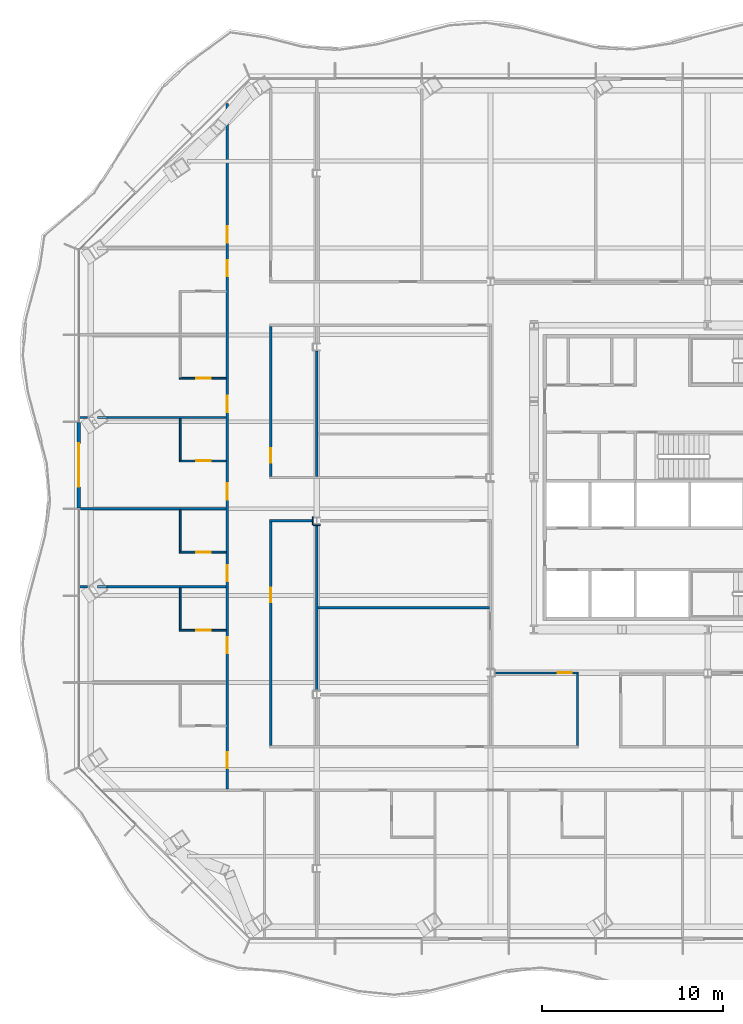
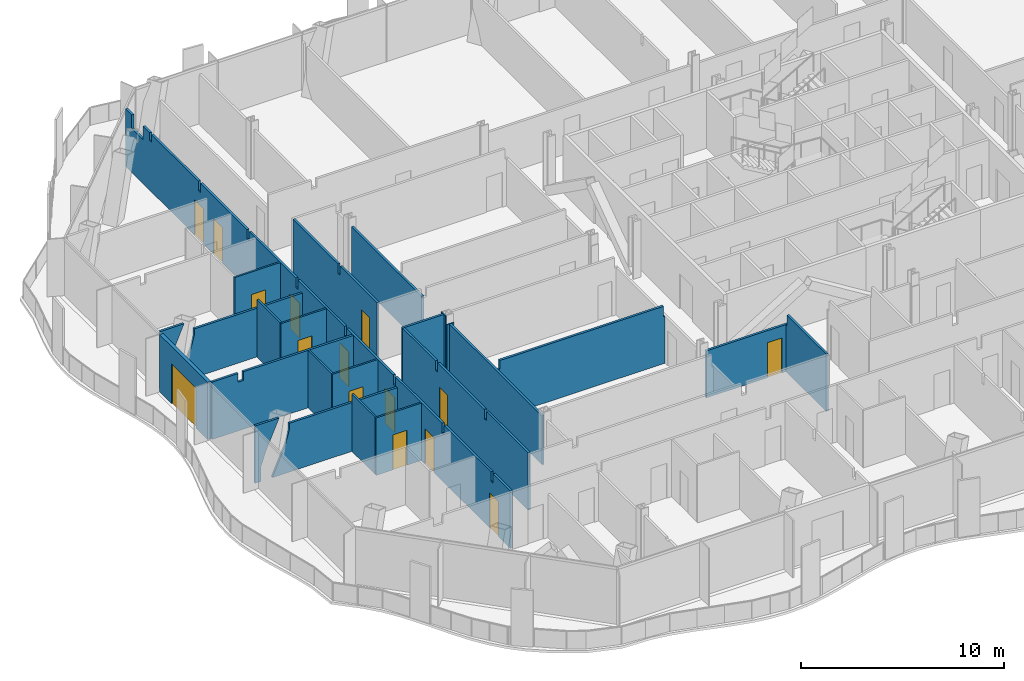
# One storey, part 7 of 17: 24 walls, 15 doors, 15 openings.
"""IFC4 building model written with IfcOpenShell, lengths in metres."""

import ifcopenshell
import ifcopenshell.guid

model = None  # the IFC model being written
_history = None  # IfcOwnerHistory: only IFC2X3 demands one
_inside = {}  # id of a spatial element -> (the spatial element, [elements in it])
_under = {}  # id of a project, library or spatial element -> (it, [spatial elements below it])
_declared = {}  # id of a project -> (the project, [libraries it declares])
_typed = {}  # id of a type object -> (the type object, [elements of that type])
_made_of = {}  # id of a material, layer set ... -> (it, [elements and type objects made of it])


def new_model(schema):
    """Start an empty IFC model of exactly this schema.

    Asked for "IFC4X3", IfcOpenShell would pick the latest addendum, in which some entities
    have other attributes; the version numbers below select the first issue.
    IFC2X3 requires an IfcOwnerHistory on every rooted entity: one is made here for all.
    """
    global model, _history
    if schema == "IFC4X3":
        model = ifcopenshell.file(schema_version=(4, 3, 0, 0))
    else:
        model = ifcopenshell.file(schema=schema)
    _inside.clear()
    _under.clear()
    _declared.clear()
    _typed.clear()
    _made_of.clear()
    _history = None
    if model.schema == "IFC2X3":
        org = make("IfcOrganization", Name="unknown")
        user = make(
            "IfcPersonAndOrganization",
            ThePerson=make("IfcPerson", FamilyName="unknown"),
            TheOrganization=org,
        )
        app = make(
            "IfcApplication",
            ApplicationDeveloper=org,
            Version="unknown",
            ApplicationFullName="unknown",
            ApplicationIdentifier="unknown",
        )
        _history = make(
            "IfcOwnerHistory",
            OwningUser=user,
            OwningApplication=app,
            ChangeAction="ADDED",
            CreationDate=0,
        )
    return model


def make(cls, **values):
    """One entity of the class cls with the attributes given. An attribute that is None is left unset."""
    return model.create_entity(
        cls, **{name: value for name, value in values.items() if value is not None}
    )


def rooted(cls, **values):
    """An entity with a GlobalId (a new one), such as an element, a storey or a relation."""
    return make(cls, GlobalId=ifcopenshell.guid.new(), OwnerHistory=_history, **values)


def si_unit(unit_type, name, prefix=None):
    """IfcSIUnit, for example si_unit("LENGTHUNIT", "METRE", prefix="MILLI")."""
    return make("IfcSIUnit", UnitType=unit_type, Prefix=prefix, Name=name)


def assignment(units):
    """IfcUnitAssignment: the units of a project."""
    return None if units is None else make("IfcUnitAssignment", Units=units)


def point(xyz):
    """IfcCartesianPoint."""
    return None if xyz is None else make("IfcCartesianPoint", Coordinates=xyz)


def direction(xyz):
    """IfcDirection."""
    return None if xyz is None else make("IfcDirection", DirectionRatios=xyz)


def frame(location, z_axis=None, x_axis=None):
    """IfcAxis2Placement3D, a coordinate frame: its origin and axes. An axis left out is left unset."""
    return make(
        "IfcAxis2Placement3D",
        Location=point(location),
        Axis=direction(z_axis),
        RefDirection=direction(x_axis),
    )


def frame_2d(location, x_axis=None):
    """IfcAxis2Placement2D, a coordinate frame in the plane: its origin and x axis."""
    return make(
        "IfcAxis2Placement2D", Location=point(location), RefDirection=direction(x_axis)
    )


def origin():
    """The frame at (0, 0, 0) with its axes left unset."""
    return frame((0.0, 0.0, 0.0))


def place(relative_to, where):
    """IfcLocalPlacement: puts the frame where relative to a parent placement (None: the world)."""
    return make(
        "IfcLocalPlacement", PlacementRelTo=relative_to, RelativePlacement=where
    )


def context(
    kind, dimensions, precision=None, world=None, true_north=None, identifier=None
):
    """IfcGeometricRepresentationContext, for example the 3D "Model" context."""
    return make(
        "IfcGeometricRepresentationContext",
        ContextIdentifier=identifier,
        ContextType=kind,
        CoordinateSpaceDimension=dimensions,
        Precision=precision,
        WorldCoordinateSystem=world,
        TrueNorth=true_north,
    )


def subcontext(parent, identifier, kind, view, scale=None):
    """IfcGeometricRepresentationSubContext, for example "Body" below "Model"."""
    return make(
        "IfcGeometricRepresentationSubContext",
        ContextIdentifier=identifier,
        ContextType=kind,
        ParentContext=parent,
        TargetScale=scale,
        TargetView=view,
    )


def project(units=None, contexts=None):
    """IfcProject with its units and contexts."""
    return rooted(
        "IfcProject",
        Name="project",
        RepresentationContexts=contexts,
        UnitsInContext=assignment(units),
    )


def spatial(cls, under=None, at=None, **own):
    """A site, building, storey or space (cls), placed at a placement, below another one or the project."""
    s = rooted(cls, ObjectPlacement=at, **own)
    if under is not None:
        _under.setdefault(under.id(), (under, []))[1].append(s)
    return s


def polyline(points):
    """IfcPolyline through the points."""
    return make("IfcPolyline", Points=[point(p) for p in points])


def profile(cls, at=None, kind="AREA", **sizes):
    """A parametric profile (cls). Its sizes go by their IFC names, for example OverallWidth=200.0."""
    return make(cls, ProfileType=kind, Position=at, **sizes)


def rectangle(**sizes):
    """IfcRectangleProfileDef."""
    return profile("IfcRectangleProfileDef", **sizes)


def outline(outer, holes=None, kind="AREA"):
    """IfcArbitraryClosedProfileDef: a profile drawn as a closed curve; with holes, ...WithVoids."""
    if holes is None:
        return make("IfcArbitraryClosedProfileDef", ProfileType=kind, OuterCurve=outer)
    return make(
        "IfcArbitraryProfileDefWithVoids",
        ProfileType=kind,
        OuterCurve=outer,
        InnerCurves=holes,
    )


def extrude(swept, where, along, depth):
    """IfcExtrudedAreaSolid: the profile swept, set in the frame where, extruded along a direction by depth."""
    return make(
        "IfcExtrudedAreaSolid",
        SweptArea=swept,
        Position=where,
        ExtrudedDirection=direction(along),
        Depth=depth,
    )


def shape(context_of_items, identifier, shape_type, items):
    """IfcShapeRepresentation: the items that make up one representation, for example the "Body"."""
    return make(
        "IfcShapeRepresentation",
        ContextOfItems=context_of_items,
        RepresentationIdentifier=identifier,
        RepresentationType=shape_type,
        Items=items,
    )


def material(Name=None, Category=None):
    """IfcMaterial."""
    return make("IfcMaterial", Name=Name, Category=Category)


def layer(
    of_material, thickness, ventilated=None, Name=None, Category=None, Priority=None
):
    """IfcMaterialLayer: one layer of a wall or slab, of a material (None: an air gap)."""
    return make(
        "IfcMaterialLayer",
        Material=of_material,
        LayerThickness=thickness,
        IsVentilated=ventilated,
        Name=Name,
        Category=Category,
        Priority=Priority,
    )


def layer_set(layers, Name=None):
    """IfcMaterialLayerSet."""
    return make("IfcMaterialLayerSet", MaterialLayers=layers, LayerSetName=Name)


def made_of(thing, what):
    """Note that an element or type object is made of a material, layer set ...; save() writes the relation."""
    if what is not None:
        _made_of.setdefault(what.id(), (what, []))[1].append(thing)
    return thing


def type_object(cls, material=None, **own):
    """A type object (cls), such as IfcWallType, which elements share."""
    return made_of(rooted(cls, **own), material)


def element(
    cls,
    number,
    at=None,
    inside=None,
    cuts=None,
    type_object=None,
    material=None,
    context=None,
    identifier="Body",
    shape_type=None,
    held_by="IfcProductDefinitionShape",
    body=None,
    shapes=None,
    **own,
):
    """One element of the class cls, such as IfcWall. Its Tag is "e" and its number.

    at: its placement. inside: the storey or other place that contains it. cuts: it is an
    opening in that element (IfcRelVoidsElement). A single representation is given by context,
    identifier, shape_type and body (its items); several are given by shapes. held_by: the class
    of the entity that holds the representations. save() writes the other relations.
    """
    e = rooted(cls, Tag="e%d" % number, ObjectPlacement=at, **own)
    if body is not None:
        shapes = [shape(context, identifier, shape_type, body)]
    if shapes is not None:
        e.Representation = make(held_by, Representations=shapes)
    if inside is not None:
        _inside.setdefault(inside.id(), (inside, []))[1].append(e)
    if cuts is not None:
        rooted(
            "IfcRelVoidsElement", RelatingBuildingElement=cuts, RelatedOpeningElement=e
        )
    if type_object is not None:
        _typed.setdefault(type_object.id(), (type_object, []))[1].append(e)
    return made_of(e, material)


def fill(opening, filler):
    """IfcRelFillsElement: the door or window that sits in an opening."""
    return rooted(
        "IfcRelFillsElement",
        RelatingOpeningElement=opening,
        RelatedBuildingElement=filler,
    )


def aggregate(whole, parts):
    """IfcRelAggregates: a whole, such as a stair, and the parts it consists of."""
    return rooted("IfcRelAggregates", RelatingObject=whole, RelatedObjects=parts)


def save(model, path):
    """Write the relations noted so far, then the file.

    IfcRelAggregates (storeys below a building ...), IfcRelContainedInSpatialStructure (elements
    in a storey), IfcRelDefinesByType, IfcRelAssociatesMaterial and IfcRelDeclares: one each for
    every whole, place, type object, material and project.
    """
    for whole, parts in _under.values():
        aggregate(whole, parts)
    for where, things in _inside.values():
        rooted(
            "IfcRelContainedInSpatialStructure",
            RelatedElements=things,
            RelatingStructure=where,
        )
    for kind, things in _typed.values():
        rooted("IfcRelDefinesByType", RelatedObjects=things, RelatingType=kind)
    for what, things in _made_of.values():
        rooted("IfcRelAssociatesMaterial", RelatedObjects=things, RelatingMaterial=what)
    for by, libraries in _declared.values():
        rooted("IfcRelDeclares", RelatingContext=by, RelatedDefinitions=libraries)
    model.write(path)


model = new_model("IFC4")

# Units and contexts
model_context = context("Model", 3, precision=1e-05, world=origin(), true_north=direction((0.0, 1.0)))
body_context = subcontext(model_context, "Body", "Model", "MODEL_VIEW")
ifc_project = project(units=[si_unit("LENGTHUNIT", "METRE"), si_unit("AREAUNIT", "SQUARE_METRE"), si_unit("VOLUMEUNIT", "CUBIC_METRE"), si_unit("PLANEANGLEUNIT", "RADIAN"), si_unit("MASSUNIT", "GRAM", prefix="KILO")], contexts=[model_context])

# Site, building, storey
site_placement = place(None, origin())
site = spatial("IfcSite", under=ifc_project, at=site_placement, CompositionType="ELEMENT")
building_placement = place(site_placement, origin())
building = spatial("IfcBuilding", under=site, at=building_placement, Name="Cairn Pilgrim Tower", CompositionType="ELEMENT")
storey_placement = place(building_placement, frame((0.0, 0.0, 94.199951171875)))
storey = spatial("IfcBuildingStorey", under=building, at=storey_placement, Name="L22", CompositionType="ELEMENT", Elevation=94.199951171875)

# Wall, opening, door
ifc_material_1 = material(Name="Bronze anodised aluminium insulated sandwich panel with mineral wool fill", Category="aluminium")
ifc_layer_1 = layer(ifc_material_1, 0.199951171875)
ifc_layer_set_1 = layer_set([ifc_layer_1], Name="BRONZE INFILL FRAME WALL 200")
wall_type_1 = type_object("IfcWallType", Name="BRONZE INFILL FRAME WALL 200", PredefinedType="NOTDEFINED", material=ifc_layer_set_1)
wall_1_placement = place(storey_placement, frame((-27.54150390625, 5.442138671875, 0.0), z_axis=(0.0, 0.0, 1.0), x_axis=(0.0, -1.0, 0.0)))
wall_1 = element("IfcWall", 1, at=wall_1_placement, inside=storey, type_object=wall_type_1, Name="Bronze infill frame wall IW-W3", PredefinedType="NOTDEFINED", context=body_context, shape_type="SweptSolid", body=[
    extrude(rectangle(XDim=4.739990234375, YDim=0.199951171875, at=frame_2d((2.3701171875, 0.0))), origin(), (0.0, 0.0, 1.0), 3.449951171875),
])
opening_1_placement = place(wall_1_placement, frame((1.170166015625, 0.0, 0.0)))
opening_1 = element("IfcOpeningElement", 2, at=opening_1_placement, cuts=wall_1, Name="Opening 2213B", PredefinedType="OPENING", context=body_context, shape_type="SweptSolid", body=[
    extrude(rectangle(XDim=2.39990234375, YDim=2.39990234375, at=frame_2d((1.199951171875, 1.199951171875))), frame((0.0, 0.10986328125, 0.0), z_axis=(0.0, -1.0, 0.0), x_axis=(1.0, 0.0, 0.0)), (0.0, 0.0, 1.0), 0.219970703125),
])
ifc_material_2 = material(Name="Bronze anodised aluminium frame with tinted low-E glass", Category="aluminium")
door_type_1 = type_object("IfcDoorType", Name="BALCONY SLIDING DOOR 2400x2400", OperationType="DOUBLE_DOOR_SLIDING", PredefinedType="DOOR", material=ifc_material_2)
door_1_placement = place(opening_1_placement, origin())
door_1 = element("IfcDoor", 3, at=door_1_placement, inside=storey, type_object=door_type_1, Name="Balcony sliding door 2213B", OperationType="SINGLE_SWING_LEFT", OverallHeight=2.39990234375, OverallWidth=2.39990234375, PredefinedType="DOOR", context=body_context, shape_type="SweptSolid", body=[
    extrude(rectangle(XDim=2.39990234375, YDim=2.39990234375, at=frame_2d((1.199951171875, 1.199951171875))), frame((0.0, 0.02490234375, 0.0), z_axis=(0.0, -1.0, 0.0), x_axis=(1.0, 0.0, 0.0)), (0.0, 0.0, 1.0), 0.050048828125),
])
fill(opening_1, door_1)

ifc_material_3 = material(Name="Gypsum partition")
ifc_layer_2 = layer(ifc_material_3, 0.10009765625)
ifc_layer_set_2 = layer_set([ifc_layer_2], Name="PARTITION 100 DRYWALL")
wall_type_2 = type_object("IfcWallType", Name="PARTITION 100 DRYWALL", PredefinedType="PARTITIONING", material=ifc_layer_set_2)
wall_2_placement = place(storey_placement, frame((-21.991943359375, -6.0439453125, 0.0), z_axis=(0.0, 0.0, 1.0), x_axis=(1.0, 0.0, 0.0)))
wall_2 = element("IfcWall", 4, at=wall_2_placement, inside=storey, type_object=wall_type_2, Name="PARTITION W049", PredefinedType="PARTITIONING", context=body_context, shape_type="SweptSolid", body=[
    extrude(rectangle(XDim=2.58740234375, YDim=0.10009765625, at=frame_2d((1.293701171875, 0.0))), origin(), (0.0, 0.0, 1.0), 3.449951171875),
])
opening_2_placement = place(wall_2_placement, frame((0.949951171875, 0.0, 0.0)))
opening_2 = element("IfcOpeningElement", 5, at=opening_2_placement, cuts=wall_2, Name="Opening 2211E", PredefinedType="OPENING", context=body_context, shape_type="SweptSolid", body=[
    extrude(rectangle(XDim=0.800048828125, YDim=2.10009765625, at=frame_2d((0.39990234375, 1.050048828125))), frame((0.0, 0.06005859375, 0.0), z_axis=(0.0, -1.0, 0.0), x_axis=(1.0, 0.0, 0.0)), (0.0, 0.0, 1.0), 0.1201171875),
])
ifc_material_4 = material(Name="Timber door leaf", Category="wood")
door_type_2 = type_object("IfcDoorType", Name="DOOR 800x2100", OperationType="NOTDEFINED", PredefinedType="DOOR", material=ifc_material_4)
door_2_placement = place(opening_2_placement, origin())
door_2 = element("IfcDoor", 6, at=door_2_placement, inside=storey, type_object=door_type_2, Name="DOOR 2211E", OperationType="SINGLE_SWING_LEFT", OverallHeight=2.10009765625, OverallWidth=0.800048828125, PredefinedType="DOOR", context=body_context, shape_type="SweptSolid", body=[
    extrude(rectangle(XDim=0.800048828125, YDim=2.10009765625, at=frame_2d((0.39990234375, 1.050048828125))), frame((0.0, 0.02490234375, 0.0), z_axis=(0.0, -1.0, 0.0), x_axis=(1.0, 0.0, 0.0)), (0.0, 0.0, 1.0), 0.050048828125),
])
fill(opening_2, door_2)

# Wall
wall_3_placement = place(storey_placement, frame((-21.94189453125, -5.993896484375, 0.0), z_axis=(0.0, 0.0, 1.0), x_axis=(0.0, 1.0, 0.0)))
element("IfcWall", 7, at=wall_3_placement, inside=storey, type_object=wall_type_2, Name="PARTITION W050", PredefinedType="PARTITIONING", context=body_context, shape_type="SweptSolid", body=[
    extrude(rectangle(XDim=2.287353515625, YDim=0.10009765625, at=frame_2d((1.1435546875, 0.0))), origin(), (0.0, 0.0, 1.0), 3.449951171875),
])

# Wall, opening, door
wall_4_placement = place(storey_placement, frame((-21.991943359375, -1.72802734375, 0.0), z_axis=(0.0, 0.0, 1.0), x_axis=(1.0, 0.0, 0.0)))
wall_4 = element("IfcWall", 8, at=wall_4_placement, inside=storey, type_object=wall_type_2, Name="PARTITION W056", PredefinedType="PARTITIONING", context=body_context, shape_type="SweptSolid", body=[
    extrude(rectangle(XDim=2.58740234375, YDim=0.10009765625, at=frame_2d((1.293701171875, 0.0))), origin(), (0.0, 0.0, 1.0), 3.449951171875),
])
opening_3_placement = place(wall_4_placement, frame((0.949951171875, 0.0, 0.0)))
opening_3 = element("IfcOpeningElement", 9, at=opening_3_placement, cuts=wall_4, Name="Opening 2212E", PredefinedType="OPENING", context=body_context, shape_type="SweptSolid", body=[
    extrude(rectangle(XDim=0.800048828125, YDim=2.10009765625, at=frame_2d((0.39990234375, 1.050048828125))), frame((0.0, 0.06005859375, 0.0), z_axis=(0.0, -1.0, 0.0), x_axis=(1.0, 0.0, 0.0)), (0.0, 0.0, 1.0), 0.1201171875),
])
door_3_placement = place(opening_3_placement, origin())
door_3 = element("IfcDoor", 10, at=door_3_placement, inside=storey, type_object=door_type_2, Name="DOOR 2212E", OperationType="SINGLE_SWING_LEFT", OverallHeight=2.10009765625, OverallWidth=0.800048828125, PredefinedType="DOOR", context=body_context, shape_type="SweptSolid", body=[
    extrude(rectangle(XDim=0.800048828125, YDim=2.10009765625, at=frame_2d((0.39990234375, 1.050048828125))), frame((0.0, 0.02490234375, 0.0), z_axis=(0.0, -1.0, 0.0), x_axis=(1.0, 0.0, 0.0)), (0.0, 0.0, 1.0), 0.050048828125),
])
fill(opening_3, door_3)

# Wall
wall_5_placement = place(storey_placement, frame((-21.94189453125, -1.677978515625, 0.0), z_axis=(0.0, 0.0, 1.0), x_axis=(0.0, 1.0, 0.0)))
element("IfcWall", 11, at=wall_5_placement, inside=storey, type_object=wall_type_2, Name="PARTITION W057", PredefinedType="PARTITIONING", context=body_context, shape_type="SweptSolid", body=[
    extrude(rectangle(XDim=2.28759765625, YDim=0.10009765625, at=frame_2d((1.143798828125, 0.0))), origin(), (0.0, 0.0, 1.0), 3.449951171875),
])

# Wall, opening, door
wall_6_placement = place(storey_placement, frame((-21.991943359375, 3.30810546875, 0.0), z_axis=(0.0, 0.0, 1.0), x_axis=(1.0, 0.0, 0.0)))
wall_6 = element("IfcWall", 12, at=wall_6_placement, inside=storey, type_object=wall_type_2, Name="PARTITION W070", PredefinedType="PARTITIONING", context=body_context, shape_type="SweptSolid", body=[
    extrude(rectangle(XDim=2.58740234375, YDim=0.10009765625, at=frame_2d((1.293701171875, 0.0))), origin(), (0.0, 0.0, 1.0), 3.449951171875),
])
opening_4_placement = place(wall_6_placement, frame((0.949951171875, 0.0, 0.0)))
opening_4 = element("IfcOpeningElement", 13, at=opening_4_placement, cuts=wall_6, Name="Opening 2213E", PredefinedType="OPENING", context=body_context, shape_type="SweptSolid", body=[
    extrude(rectangle(XDim=0.800048828125, YDim=2.10009765625, at=frame_2d((0.39990234375, 1.050048828125))), frame((0.0, 0.06005859375, 0.0), z_axis=(0.0, -1.0, 0.0), x_axis=(1.0, 0.0, 0.0)), (0.0, 0.0, 1.0), 0.1201171875),
])
door_4_placement = place(opening_4_placement, origin())
door_4 = element("IfcDoor", 14, at=door_4_placement, inside=storey, type_object=door_type_2, Name="DOOR 2213E", OperationType="SINGLE_SWING_LEFT", OverallHeight=2.10009765625, OverallWidth=0.800048828125, PredefinedType="DOOR", context=body_context, shape_type="SweptSolid", body=[
    extrude(rectangle(XDim=0.800048828125, YDim=2.10009765625, at=frame_2d((0.39990234375, 1.050048828125))), frame((0.0, 0.02490234375, 0.0), z_axis=(0.0, -1.0, 0.0), x_axis=(1.0, 0.0, 0.0)), (0.0, 0.0, 1.0), 0.050048828125),
])
fill(opening_4, door_4)

# Wall
wall_7_placement = place(storey_placement, frame((-21.94189453125, 3.35791015625, 0.0), z_axis=(0.0, 0.0, 1.0), x_axis=(0.0, 1.0, 0.0)))
element("IfcWall", 15, at=wall_7_placement, inside=storey, type_object=wall_type_2, Name="PARTITION W071", PredefinedType="PARTITIONING", context=body_context, shape_type="SweptSolid", body=[
    extrude(rectangle(XDim=2.28759765625, YDim=0.10009765625, at=frame_2d((1.143798828125, 0.0))), origin(), (0.0, 0.0, 1.0), 3.449951171875),
])

# Wall, opening, door
wall_8_placement = place(storey_placement, frame((-21.991943359375, 7.8720703125, 0.0), z_axis=(0.0, 0.0, 1.0), x_axis=(1.0, 0.0, 0.0)))
wall_8 = element("IfcWall", 16, at=wall_8_placement, inside=storey, type_object=wall_type_2, Name="PARTITION W076", PredefinedType="PARTITIONING", context=body_context, shape_type="SweptSolid", body=[
    extrude(rectangle(XDim=2.58740234375, YDim=0.10009765625, at=frame_2d((1.293701171875, 0.0))), origin(), (0.0, 0.0, 1.0), 3.449951171875),
])
opening_5_placement = place(wall_8_placement, frame((0.949951171875, 0.0, 0.0)))
opening_5 = element("IfcOpeningElement", 17, at=opening_5_placement, cuts=wall_8, Name="Opening 2214E", PredefinedType="OPENING", context=body_context, shape_type="SweptSolid", body=[
    extrude(rectangle(XDim=0.800048828125, YDim=2.10009765625, at=frame_2d((0.39990234375, 1.050048828125))), frame((0.0, 0.06005859375, 0.0), z_axis=(0.0, -1.0, 0.0), x_axis=(1.0, 0.0, 0.0)), (0.0, 0.0, 1.0), 0.1201171875),
])
door_5_placement = place(opening_5_placement, origin())
door_5 = element("IfcDoor", 18, at=door_5_placement, inside=storey, type_object=door_type_2, Name="DOOR 2214E", OperationType="SINGLE_SWING_LEFT", OverallHeight=2.10009765625, OverallWidth=0.800048828125, PredefinedType="DOOR", context=body_context, shape_type="SweptSolid", body=[
    extrude(rectangle(XDim=0.800048828125, YDim=2.10009765625, at=frame_2d((0.39990234375, 1.050048828125))), frame((0.0, 0.02490234375, 0.0), z_axis=(0.0, -1.0, 0.0), x_axis=(1.0, 0.0, 0.0)), (0.0, 0.0, 1.0), 0.050048828125),
])
fill(opening_5, door_5)

# Wall, openings, doors
ifc_layer_3 = layer(ifc_material_3, 0.125)
ifc_layer_set_3 = layer_set([ifc_layer_3], Name="PARTITION 125 DRYWALL EI 60")
wall_type_3 = type_object("IfcWallType", Name="PARTITION 125 DRYWALL EI 60", PredefinedType="PARTITIONING", material=ifc_layer_set_3)
wall_9_placement = place(storey_placement, frame((-19.342041015625, -14.8154296875, 0.0), z_axis=(0.0, 0.0, 1.0), x_axis=(0.0, 1.0, 0.0)))
wall_9 = element("IfcWall", 19, at=wall_9_placement, inside=storey, type_object=wall_type_3, Name="PARTITION W024", PredefinedType="PARTITIONING", context=body_context, shape_type="SweptSolid", body=[
    extrude(outline(polyline([(0.0, 0.0), (37.8759765625, 0.0), (37.8759765625, 3.449951171875), (37.262451171875, 3.449951171875), (37.260498046875, 2.630126953125), (36.1474609375, 2.630126953125), (36.1455078125, 3.449951171875), (35.501953125, 3.449951171875), (35.5, 2.97998046875), (35.31201171875, 2.97998046875), (35.309814453125, 3.449951171875), (30.7119140625, 3.449951171875), (30.7099609375, 2.880126953125), (30.501953125, 2.880126953125), (30.5, 3.449951171875), (25.911865234375, 3.449951171875), (25.909912109375, 2.880126953125), (25.701904296875, 2.880126953125), (25.699951171875, 3.449951171875), (21.11181640625, 3.449951171875), (21.10986328125, 2.880126953125), (20.90185546875, 2.880126953125), (20.89990234375, 3.449951171875), (16.31201171875, 3.449951171875), (16.309814453125, 2.880126953125), (16.101806640625, 2.880126953125), (16.099853515625, 3.449951171875), (11.511962890625, 3.449951171875), (11.510009765625, 2.880126953125), (11.302001953125, 2.880126953125), (11.2998046875, 3.449951171875), (6.7119140625, 3.449951171875), (6.7099609375, 2.880126953125), (6.501953125, 2.880126953125), (6.5, 3.449951171875), (1.911865234375, 3.449951171875), (1.909912109375, 2.880126953125), (1.701904296875, 2.880126953125), (1.699951171875, 3.449951171875), (0.0, 3.449951171875), (0.0, 0.0)])), frame((0.0, 0.0625, 0.0), z_axis=(0.0, -1.0, 0.0), x_axis=(1.0, 0.0, 0.0)), (0.0, 0.0, 1.0), 0.125),
])
opening_6_placement = place(wall_9_placement, frame((1.137451171875, 0.0, 0.0)))
opening_6 = element("IfcOpeningElement", 20, at=opening_6_placement, cuts=wall_9, Name="Opening 2210", PredefinedType="OPENING", context=body_context, shape_type="SweptSolid", body=[
    extrude(rectangle(XDim=0.89990234375, YDim=2.10009765625, at=frame_2d((0.449951171875, 1.050048828125))), frame((0.0, 0.072509765625, 0.0), z_axis=(0.0, -1.0, 0.0), x_axis=(1.0, 0.0, 0.0)), (0.0, 0.0, 1.0), 0.14501953125),
])
opening_7_placement = place(wall_9_placement, frame((7.487548828125, 0.0, 0.0)))
opening_7 = element("IfcOpeningElement", 21, at=opening_7_placement, cuts=wall_9, Name="Opening 2211", PredefinedType="OPENING", context=body_context, shape_type="SweptSolid", body=[
    extrude(rectangle(XDim=0.89990234375, YDim=2.10009765625, at=frame_2d((0.449951171875, 1.050048828125))), frame((0.0, 0.072509765625, 0.0), z_axis=(0.0, -1.0, 0.0), x_axis=(1.0, 0.0, 0.0)), (0.0, 0.0, 1.0), 0.14501953125),
])
opening_8_placement = place(wall_9_placement, frame((11.471435546875, 0.0, 0.0)))
opening_8 = element("IfcOpeningElement", 22, at=opening_8_placement, cuts=wall_9, Name="Opening 2212", PredefinedType="OPENING", context=body_context, shape_type="SweptSolid", body=[
    extrude(rectangle(XDim=0.89990234375, YDim=2.10009765625, at=frame_2d((0.449951171875, 1.050048828125))), frame((0.0, 0.072509765625, 0.0), z_axis=(0.0, -1.0, 0.0), x_axis=(1.0, 0.0, 0.0)), (0.0, 0.0, 1.0), 0.14501953125),
])
opening_9_placement = place(wall_9_placement, frame((15.987548828125, 0.0, 0.0)))
opening_9 = element("IfcOpeningElement", 23, at=opening_9_placement, cuts=wall_9, Name="Opening 2213", PredefinedType="OPENING", context=body_context, shape_type="SweptSolid", body=[
    extrude(rectangle(XDim=0.89990234375, YDim=2.10009765625, at=frame_2d((0.449951171875, 1.050048828125))), frame((0.0, 0.072509765625, 0.0), z_axis=(0.0, -1.0, 0.0), x_axis=(1.0, 0.0, 0.0)), (0.0, 0.0, 1.0), 0.14501953125),
])
opening_10_placement = place(wall_9_placement, frame((20.823486328125, 0.0, 0.0)))
opening_10 = element("IfcOpeningElement", 24, at=opening_10_placement, cuts=wall_9, Name="Opening 2214", PredefinedType="OPENING", context=body_context, shape_type="SweptSolid", body=[
    extrude(rectangle(XDim=0.89990234375, YDim=2.10009765625, at=frame_2d((0.449951171875, 1.050048828125))), frame((0.0, 0.072509765625, 0.0), z_axis=(0.0, -1.0, 0.0), x_axis=(1.0, 0.0, 0.0)), (0.0, 0.0, 1.0), 0.14501953125),
])
opening_11_placement = place(wall_9_placement, frame((28.3154296875, 0.0, 0.0)))
opening_11 = element("IfcOpeningElement", 25, at=opening_11_placement, cuts=wall_9, Name="Opening 2215", PredefinedType="OPENING", context=body_context, shape_type="SweptSolid", body=[
    extrude(rectangle(XDim=0.89990234375, YDim=2.10009765625, at=frame_2d((0.449951171875, 1.050048828125))), frame((0.0, 0.072509765625, 0.0), z_axis=(0.0, -1.0, 0.0), x_axis=(1.0, 0.0, 0.0)), (0.0, 0.0, 1.0), 0.14501953125),
])
opening_12_placement = place(wall_9_placement, frame((30.174560546875, 0.0, 0.0)))
opening_12 = element("IfcOpeningElement", 26, at=opening_12_placement, cuts=wall_9, Name="Opening 2216", PredefinedType="OPENING", context=body_context, shape_type="SweptSolid", body=[
    extrude(rectangle(XDim=0.89990234375, YDim=2.10009765625, at=frame_2d((0.449951171875, 1.050048828125))), frame((0.0, 0.072509765625, 0.0), z_axis=(0.0, -1.0, 0.0), x_axis=(1.0, 0.0, 0.0)), (0.0, 0.0, 1.0), 0.14501953125),
])
ifc_material_5 = material(Name="Steel-faced fire door leaf", Category="steel")
door_type_3 = type_object("IfcDoorType", Name="FIRE DOOR 900x2100 FD30S", OperationType="NOTDEFINED", PredefinedType="DOOR", material=ifc_material_5)
door_6_placement = place(opening_6_placement, origin())
door_6 = element("IfcDoor", 27, at=door_6_placement, inside=storey, type_object=door_type_3, Name="DOOR 2210", OperationType="SINGLE_SWING_RIGHT", OverallHeight=2.10009765625, OverallWidth=0.89990234375, PredefinedType="DOOR", context=body_context, shape_type="SweptSolid", body=[
    extrude(rectangle(XDim=0.89990234375, YDim=2.10009765625, at=frame_2d((0.449951171875, 1.050048828125))), frame((0.0, 0.02490234375, 0.0), z_axis=(0.0, -1.0, 0.0), x_axis=(1.0, 0.0, 0.0)), (0.0, 0.0, 1.0), 0.050048828125),
])
fill(opening_6, door_6)
door_7_placement = place(opening_7_placement, origin())
door_7 = element("IfcDoor", 28, at=door_7_placement, inside=storey, type_object=door_type_3, Name="DOOR 2211", OperationType="SINGLE_SWING_RIGHT", OverallHeight=2.10009765625, OverallWidth=0.89990234375, PredefinedType="DOOR", context=body_context, shape_type="SweptSolid", body=[
    extrude(rectangle(XDim=0.89990234375, YDim=2.10009765625, at=frame_2d((0.449951171875, 1.050048828125))), frame((0.0, 0.02490234375, 0.0), z_axis=(0.0, -1.0, 0.0), x_axis=(1.0, 0.0, 0.0)), (0.0, 0.0, 1.0), 0.050048828125),
])
fill(opening_7, door_7)
door_8_placement = place(opening_8_placement, origin())
door_8 = element("IfcDoor", 29, at=door_8_placement, inside=storey, type_object=door_type_3, Name="DOOR 2212", OperationType="SINGLE_SWING_RIGHT", OverallHeight=2.10009765625, OverallWidth=0.89990234375, PredefinedType="DOOR", context=body_context, shape_type="SweptSolid", body=[
    extrude(rectangle(XDim=0.89990234375, YDim=2.10009765625, at=frame_2d((0.449951171875, 1.050048828125))), frame((0.0, 0.02490234375, 0.0), z_axis=(0.0, -1.0, 0.0), x_axis=(1.0, 0.0, 0.0)), (0.0, 0.0, 1.0), 0.050048828125),
])
fill(opening_8, door_8)
door_9_placement = place(opening_9_placement, origin())
door_9 = element("IfcDoor", 30, at=door_9_placement, inside=storey, type_object=door_type_3, Name="DOOR 2213", OperationType="SINGLE_SWING_RIGHT", OverallHeight=2.10009765625, OverallWidth=0.89990234375, PredefinedType="DOOR", context=body_context, shape_type="SweptSolid", body=[
    extrude(rectangle(XDim=0.89990234375, YDim=2.10009765625, at=frame_2d((0.449951171875, 1.050048828125))), frame((0.0, 0.02490234375, 0.0), z_axis=(0.0, -1.0, 0.0), x_axis=(1.0, 0.0, 0.0)), (0.0, 0.0, 1.0), 0.050048828125),
])
fill(opening_9, door_9)
door_10_placement = place(opening_10_placement, origin())
door_10 = element("IfcDoor", 31, at=door_10_placement, inside=storey, type_object=door_type_3, Name="DOOR 2214", OperationType="SINGLE_SWING_RIGHT", OverallHeight=2.10009765625, OverallWidth=0.89990234375, PredefinedType="DOOR", context=body_context, shape_type="SweptSolid", body=[
    extrude(rectangle(XDim=0.89990234375, YDim=2.10009765625, at=frame_2d((0.449951171875, 1.050048828125))), frame((0.0, 0.02490234375, 0.0), z_axis=(0.0, -1.0, 0.0), x_axis=(1.0, 0.0, 0.0)), (0.0, 0.0, 1.0), 0.050048828125),
])
fill(opening_10, door_10)
door_11_placement = place(opening_11_placement, origin())
door_11 = element("IfcDoor", 32, at=door_11_placement, inside=storey, type_object=door_type_3, Name="DOOR 2215", OperationType="SINGLE_SWING_RIGHT", OverallHeight=2.10009765625, OverallWidth=0.89990234375, PredefinedType="DOOR", context=body_context, shape_type="SweptSolid", body=[
    extrude(rectangle(XDim=0.89990234375, YDim=2.10009765625, at=frame_2d((0.449951171875, 1.050048828125))), frame((0.0, 0.02490234375, 0.0), z_axis=(0.0, -1.0, 0.0), x_axis=(1.0, 0.0, 0.0)), (0.0, 0.0, 1.0), 0.050048828125),
])
fill(opening_11, door_11)
door_12_placement = place(opening_12_placement, origin())
door_12 = element("IfcDoor", 33, at=door_12_placement, inside=storey, type_object=door_type_3, Name="DOOR 2216", OperationType="SINGLE_SWING_RIGHT", OverallHeight=2.10009765625, OverallWidth=0.89990234375, PredefinedType="DOOR", context=body_context, shape_type="SweptSolid", body=[
    extrude(rectangle(XDim=0.89990234375, YDim=2.10009765625, at=frame_2d((0.449951171875, 1.050048828125))), frame((0.0, 0.02490234375, 0.0), z_axis=(0.0, -1.0, 0.0), x_axis=(1.0, 0.0, 0.0)), (0.0, 0.0, 1.0), 0.050048828125),
])
fill(opening_12, door_12)

# Wall, opening, door
wall_10_placement = place(storey_placement, frame((-16.94189453125, -12.41552734375, 0.0), z_axis=(0.0, 0.0, 1.0), x_axis=(0.0, 1.0, 0.0)))
wall_10 = element("IfcWall", 34, at=wall_10_placement, inside=storey, type_object=wall_type_3, Name="PARTITION W027", PredefinedType="PARTITIONING", context=body_context, shape_type="SweptSolid", body=[
    extrude(outline(polyline([(0.0, 0.0), (12.35302734375, 0.0), (12.35302734375, 3.449951171875), (9.11181640625, 3.449951171875), (9.10986328125, 2.880126953125), (8.90185546875, 2.880126953125), (8.89990234375, 3.449951171875), (4.31201171875, 3.449951171875), (4.309814453125, 2.880126953125), (4.101806640625, 2.880126953125), (4.099853515625, 3.449951171875), (0.0, 3.449951171875), (0.0, 0.0)])), frame((0.0, 0.0625, 0.0), z_axis=(0.0, -1.0, 0.0), x_axis=(1.0, 0.0, 0.0)), (0.0, 0.0, 1.0), 0.125),
])
opening_13_placement = place(wall_10_placement, frame((7.91552734375, 0.0, 0.0)))
opening_13 = element("IfcOpeningElement", 35, at=opening_13_placement, cuts=wall_10, Name="Opening 2234", PredefinedType="OPENING", context=body_context, shape_type="SweptSolid", body=[
    extrude(rectangle(XDim=0.800048828125, YDim=2.10009765625, at=frame_2d((0.39990234375, 1.050048828125))), frame((0.0, 0.072509765625, 0.0), z_axis=(0.0, -1.0, 0.0), x_axis=(1.0, 0.0, 0.0)), (0.0, 0.0, 1.0), 0.14501953125),
])
door_type_4 = type_object("IfcDoorType", Name="FIRE DOOR 800x2100 FD30S", OperationType="NOTDEFINED", PredefinedType="DOOR", material=ifc_material_5)
door_13_placement = place(opening_13_placement, frame((0.800048828125, 0.0, 0.0), z_axis=(0.0, 0.0, 1.0), x_axis=(-1.0, 0.0, 0.0)))
door_13 = element("IfcDoor", 36, at=door_13_placement, inside=storey, type_object=door_type_4, Name="DOOR 2234", OperationType="SINGLE_SWING_LEFT", OverallHeight=2.10009765625, OverallWidth=0.800048828125, PredefinedType="DOOR", context=body_context, shape_type="SweptSolid", body=[
    extrude(rectangle(XDim=0.800048828125, YDim=2.10009765625, at=frame_2d((0.39990234375, 1.050048828125))), frame((0.0, 0.02490234375, 0.0), z_axis=(0.0, -1.0, 0.0), x_axis=(1.0, 0.0, 0.0)), (0.0, 0.0, 1.0), 0.050048828125),
])
fill(opening_13, door_13)

# Walls
wall_11_placement = place(storey_placement, frame((0.0, -12.41552734375, 0.0), z_axis=(0.0, 0.0, 1.0), x_axis=(0.0, 1.0, 0.0)))
element("IfcWall", 37, at=wall_11_placement, inside=storey, type_object=wall_type_3, Name="PARTITION W030", PredefinedType="PARTITIONING", context=body_context, shape_type="SweptSolid", body=[
    extrude(outline(polyline([(0.0, 0.0), (3.953125, 0.0), (3.952880859375, 2.830078125), (3.865478515625, 2.830078125), (3.863525390625, 3.449951171875), (0.0, 3.449951171875), (0.0, 0.0)])), frame((0.0, 0.0625, 0.0), z_axis=(0.0, -1.0, 0.0), x_axis=(1.0, 0.0, 0.0)), (0.0, 0.0, 1.0), 0.125),
])
wall_12_placement = place(storey_placement, frame((-14.39990234375, -9.387451171875, 0.0), z_axis=(0.0, 0.0, 1.0), x_axis=(0.0, 1.0, 0.0)))
element("IfcWall", 38, at=wall_12_placement, inside=storey, type_object=wall_type_3, Name="PARTITION W039", PredefinedType="PARTITIONING", context=body_context, shape_type="SweptSolid", body=[
    extrude(rectangle(XDim=9.175048828125, YDim=0.125, at=frame_2d((4.58740234375, 0.0))), origin(), (0.0, 0.0, 1.0), 2.929931640625),
])

# Wall, opening, door
wall_13_placement = place(storey_placement, frame((-4.595458984375, -8.39990234375, 0.0), z_axis=(0.0, 0.0, 1.0), x_axis=(1.0, 0.0, 0.0)))
wall_13 = element("IfcWall", 39, at=wall_13_placement, inside=storey, type_object=wall_type_3, Name="PARTITION W043", PredefinedType="PARTITIONING", context=body_context, shape_type="SweptSolid", body=[
    extrude(rectangle(XDim=4.657958984375, YDim=0.125, at=frame_2d((2.3291015625, 0.0))), origin(), (0.0, 0.0, 1.0), 2.830078125),
])
opening_14_placement = place(wall_13_placement, frame((3.49560546875, 0.0, 0.0)))
opening_14 = element("IfcOpeningElement", 40, at=opening_14_placement, cuts=wall_13, Name="Opening 2236", PredefinedType="OPENING", context=body_context, shape_type="SweptSolid", body=[
    extrude(rectangle(XDim=0.800048828125, YDim=2.10009765625, at=frame_2d((0.39990234375, 1.050048828125))), frame((0.0, 0.072509765625, 0.0), z_axis=(0.0, -1.0, 0.0), x_axis=(1.0, 0.0, 0.0)), (0.0, 0.0, 1.0), 0.14501953125),
])
door_14_placement = place(opening_14_placement, frame((0.800048828125, 0.0, 0.0), z_axis=(0.0, 0.0, 1.0), x_axis=(-1.0, 0.0, 0.0)))
door_14 = element("IfcDoor", 41, at=door_14_placement, inside=storey, type_object=door_type_4, Name="DOOR 2236", OperationType="SINGLE_SWING_LEFT", OverallHeight=2.10009765625, OverallWidth=0.800048828125, PredefinedType="DOOR", context=body_context, shape_type="SweptSolid", body=[
    extrude(rectangle(XDim=0.800048828125, YDim=2.10009765625, at=frame_2d((0.39990234375, 1.050048828125))), frame((0.0, 0.02490234375, 0.0), z_axis=(0.0, -1.0, 0.0), x_axis=(1.0, 0.0, 0.0)), (0.0, 0.0, 1.0), 0.050048828125),
])
fill(opening_14, door_14)

# Walls
wall_14_placement = place(storey_placement, frame((-14.33740234375, -4.800048828125, 0.0), z_axis=(0.0, 0.0, 1.0), x_axis=(1.0, 0.0, 0.0)))
element("IfcWall", 42, at=wall_14_placement, inside=storey, type_object=wall_type_3, Name="PARTITION W051", PredefinedType="PARTITIONING", context=body_context, shape_type="SweptSolid", body=[
    extrude(outline(polyline([(0.0, 0.0), (9.474853515625, 0.0), (9.47509765625, 2.830078125), (9.387451171875, 2.830078125), (9.385498046875, 3.449951171875), (0.08740234375, 3.449951171875), (0.08544921875, 2.929931640625), (0.0, 2.929931640625), (0.0, 0.0)])), frame((0.0, 0.0625, 0.0), z_axis=(0.0, -1.0, 0.0), x_axis=(1.0, 0.0, 0.0)), (0.0, 0.0, 1.0), 0.125),
])
wall_15_placement = place(storey_placement, frame((-27.49462890625, -3.64404296875, 0.0), z_axis=(0.0, 0.0, 1.0), x_axis=(1.0, 0.0, 0.0)))
element("IfcWall", 43, at=wall_15_placement, inside=storey, type_object=wall_type_3, Name="PARTITION W054", PredefinedType="PARTITIONING", context=body_context, shape_type="SweptSolid", body=[
    extrude(outline(polyline([(0.0, 0.0), (0.327392578125, 0.0), (0.330810546875, 0.862548828125), (0.622314453125, 1.72509765625), (0.99560546875, 2.587646484375), (1.368896484375, 3.449951171875), (0.0, 3.449951171875), (0.0, 2.587646484375), (0.0, 1.72509765625), (0.0, 0.862548828125), (0.0, 0.0)])), frame((0.0, 0.0625, 0.0), z_axis=(0.0, -1.0, 0.0), x_axis=(1.0, 0.0, 0.0)), (0.0, 0.0, 1.0), 0.125),
])
wall_16_placement = place(storey_placement, frame((-26.513671875, -3.64404296875, 0.0), z_axis=(0.0, 0.0, 1.0), x_axis=(1.0, 0.0, 0.0)))
element("IfcWall", 44, at=wall_16_placement, inside=storey, type_object=wall_type_3, Name="PARTITION W055", PredefinedType="PARTITIONING", context=body_context, shape_type="SweptSolid", body=[
    extrude(outline(polyline([(0.0, 0.0), (7.109130859375, 0.0), (7.109130859375, 0.862548828125), (7.109130859375, 1.72509765625), (7.109130859375, 2.587646484375), (7.109130859375, 2.929931640625), (0.976318359375, 2.929931640625), (0.976318359375, 2.587646484375), (0.74658203125, 1.72509765625), (0.373291015625, 0.862548828125), (0.0, 0.0)])), frame((0.0, 0.0625, 0.0), z_axis=(0.0, -1.0, 0.0), x_axis=(1.0, 0.0, 0.0)), (0.0, 0.0, 1.0), 0.125),
])
wall_17_placement = place(storey_placement, frame((-17.00439453125, 0.0, 0.0), z_axis=(0.0, 0.0, 1.0), x_axis=(1.0, 0.0, 0.0)))
element("IfcWall", 45, at=wall_17_placement, inside=storey, type_object=wall_type_3, Name="PARTITION W059", PredefinedType="PARTITIONING", context=body_context, shape_type="SweptSolid", body=[
    extrude(rectangle(XDim=2.39990234375, YDim=0.125, at=frame_2d((1.199951171875, 0.0))), origin(), (0.0, 0.0, 1.0), 3.449951171875),
])
wall_18_placement = place(storey_placement, frame((-27.441650390625, 0.672119140625, 0.0), z_axis=(0.0, 0.0, 1.0), x_axis=(1.0, 0.0, 0.0)))
element("IfcWall", 46, at=wall_18_placement, inside=storey, type_object=wall_type_3, Name="PARTITION W061", PredefinedType="PARTITIONING", context=body_context, shape_type="SweptSolid", body=[
    extrude(outline(polyline([(0.0, 0.0), (8.037109375, 0.0), (8.037109375, 3.449951171875), (1.77880859375, 3.449951171875), (1.776611328125, 2.929931640625), (1.478759765625, 2.929931640625), (1.476806640625, 3.449951171875), (0.0, 3.449951171875), (0.0, 0.0)])), frame((0.0, 0.0625, 0.0), z_axis=(0.0, -1.0, 0.0), x_axis=(1.0, 0.0, 0.0)), (0.0, 0.0, 1.0), 0.125),
])

# Wall, opening, door
wall_19_placement = place(storey_placement, frame((-16.94189453125, 2.46240234375, 0.0), z_axis=(0.0, 0.0, 1.0), x_axis=(0.0, 1.0, 0.0)))
wall_19 = element("IfcWall", 47, at=wall_19_placement, inside=storey, type_object=wall_type_3, Name="PARTITION W065", PredefinedType="PARTITIONING", context=body_context, shape_type="SweptSolid", body=[
    extrude(outline(polyline([(0.0, 0.0), (8.275146484375, 0.0), (8.27490234375, 3.449951171875), (3.833984375, 3.449951171875), (3.831787109375, 2.880126953125), (3.623779296875, 2.880126953125), (3.621826171875, 3.449951171875), (0.0, 3.449951171875), (0.0, 0.0)])), frame((0.0, 0.0625, 0.0), z_axis=(0.0, -1.0, 0.0), x_axis=(1.0, 0.0, 0.0)), (0.0, 0.0, 1.0), 0.125),
])
opening_15_placement = place(wall_19_placement, frame((0.737548828125, 0.0, 0.0)))
opening_15 = element("IfcOpeningElement", 48, at=opening_15_placement, cuts=wall_19, Name="Opening 2235", PredefinedType="OPENING", context=body_context, shape_type="SweptSolid", body=[
    extrude(rectangle(XDim=0.800048828125, YDim=2.10009765625, at=frame_2d((0.39990234375, 1.050048828125))), frame((0.0, 0.072509765625, 0.0), z_axis=(0.0, -1.0, 0.0), x_axis=(1.0, 0.0, 0.0)), (0.0, 0.0, 1.0), 0.14501953125),
])
door_15_placement = place(opening_15_placement, frame((0.800048828125, 0.0, 0.0), z_axis=(0.0, 0.0, 1.0), x_axis=(-1.0, 0.0, 0.0)))
door_15 = element("IfcDoor", 49, at=door_15_placement, inside=storey, type_object=door_type_4, Name="DOOR 2235", OperationType="SINGLE_SWING_RIGHT", OverallHeight=2.10009765625, OverallWidth=0.800048828125, PredefinedType="DOOR", context=body_context, shape_type="SweptSolid", body=[
    extrude(rectangle(XDim=0.800048828125, YDim=2.10009765625, at=frame_2d((0.39990234375, 1.050048828125))), frame((0.0, 0.02490234375, 0.0), z_axis=(0.0, -1.0, 0.0), x_axis=(1.0, 0.0, 0.0)), (0.0, 0.0, 1.0), 0.050048828125),
])
fill(opening_15, door_15)

# Walls
wall_20_placement = place(storey_placement, frame((-14.39990234375, 2.46240234375, 0.0), z_axis=(0.0, 0.0, 1.0), x_axis=(0.0, 1.0, 0.0)))
element("IfcWall", 50, at=wall_20_placement, inside=storey, type_object=wall_type_3, Name="PARTITION W066", PredefinedType="PARTITIONING", context=body_context, shape_type="SweptSolid", body=[
    extrude(rectangle(XDim=6.925048828125, YDim=0.125, at=frame_2d((3.46240234375, 0.0))), origin(), (0.0, 0.0, 1.0), 2.929931640625),
])
wall_21_placement = place(storey_placement, frame((-27.49462890625, 5.7080078125, 0.0), z_axis=(0.0, 0.0, 1.0), x_axis=(1.0, 0.0, 0.0)))
element("IfcWall", 51, at=wall_21_placement, inside=storey, type_object=wall_type_3, Name="PARTITION W074", PredefinedType="PARTITIONING", context=body_context, shape_type="SweptSolid", body=[
    extrude(outline(polyline([(0.0, 0.0), (0.328125, 0.0), (0.330810546875, 0.862548828125), (0.621826171875, 1.72509765625), (0.9951171875, 2.587646484375), (1.368408203125, 3.449951171875), (0.0, 3.449951171875), (0.0, 2.587646484375), (0.0, 1.72509765625), (0.0, 0.862548828125), (0.0, 0.0)])), frame((0.0, 0.0625, 0.0), z_axis=(0.0, -1.0, 0.0), x_axis=(1.0, 0.0, 0.0)), (0.0, 0.0, 1.0), 0.125),
])
wall_22_placement = place(storey_placement, frame((-26.513916015625, 5.7080078125, 0.0), z_axis=(0.0, 0.0, 1.0), x_axis=(1.0, 0.0, 0.0)))
element("IfcWall", 52, at=wall_22_placement, inside=storey, type_object=wall_type_3, Name="PARTITION W075", PredefinedType="PARTITIONING", context=body_context, shape_type="SweptSolid", body=[
    extrude(outline(polyline([(0.0, 0.0), (7.109619140625, 0.0), (7.109619140625, 0.862548828125), (7.109619140625, 1.72509765625), (7.109619140625, 2.587646484375), (7.109619140625, 2.929931640625), (0.977294921875, 2.929931640625), (0.977294921875, 2.587646484375), (0.74658203125, 1.72509765625), (0.373291015625, 0.862548828125), (0.0, 0.0)])), frame((0.0, 0.0625, 0.0), z_axis=(0.0, -1.0, 0.0), x_axis=(1.0, 0.0, 0.0)), (0.0, 0.0, 1.0), 0.125),
])
ifc_layer_4 = layer(ifc_material_3, 0.050048828125)
ifc_layer_set_4 = layer_set([ifc_layer_4], Name="PARTITION 50 DRYWALL EI 60")
wall_type_4 = type_object("IfcWallType", Name="PARTITION 50 DRYWALL EI 60", PredefinedType="PARTITIONING", material=ifc_layer_set_4)
wall_23_placement = place(storey_placement, frame((-14.62939453125, -0.21240234375, 0.0), z_axis=(0.0, 0.0, 1.0), x_axis=(0.0, 1.0, 0.0)))
element("IfcWall", 53, at=wall_23_placement, inside=storey, type_object=wall_type_4, Name="COLUMN CASING WC06", PredefinedType="PARTITIONING", context=body_context, shape_type="SweptSolid", body=[
    extrude(rectangle(XDim=0.4248046875, YDim=0.050048828125, at=frame_2d((0.21240234375, 0.0))), origin(), (0.0, 0.0, 1.0), 3.449951171875),
])
wall_24_placement = place(storey_placement, frame((-14.6044921875, -0.237548828125, 0.0), z_axis=(0.0, 0.0, 1.0), x_axis=(1.0, 0.0, 0.0)))
element("IfcWall", 54, at=wall_24_placement, inside=storey, type_object=wall_type_4, Name="COLUMN CASING WC11", PredefinedType="PARTITIONING", context=body_context, shape_type="SweptSolid", body=[
    extrude(rectangle(XDim=0.408935546875, YDim=0.050048828125, at=frame_2d((0.20458984375, 0.0))), origin(), (0.0, 0.0, 1.0), 2.929931640625),
])

save(model, "model.ifc")
